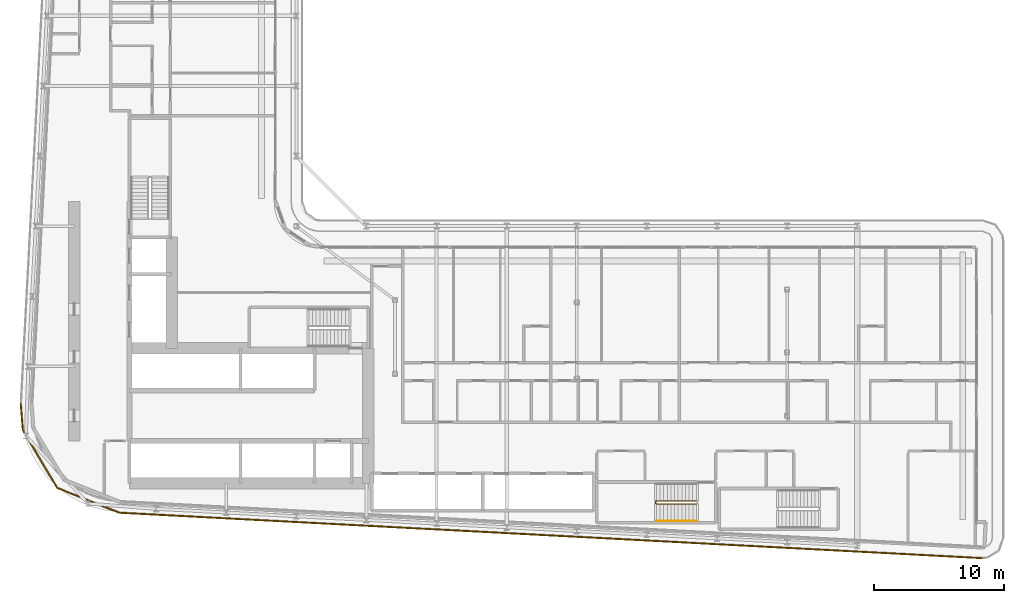
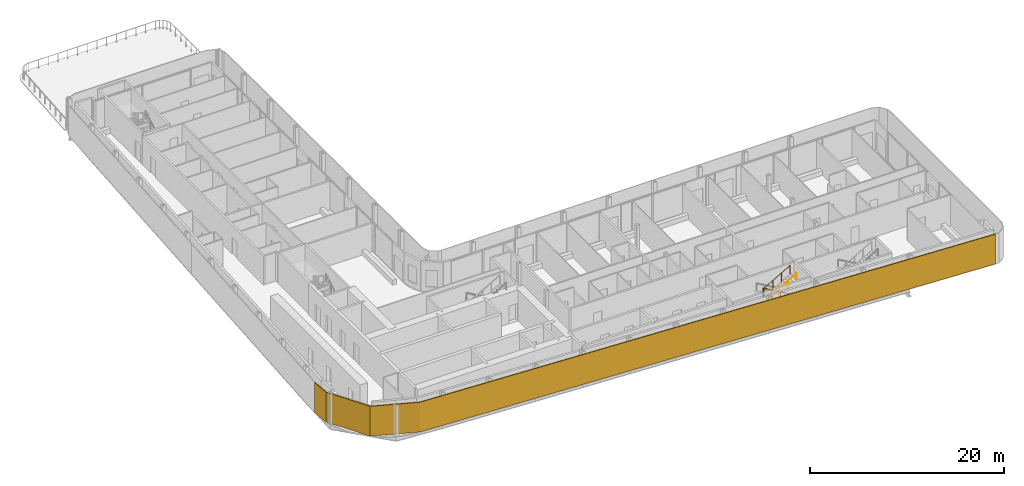
# One storey, part 23 of 28: 2 railings, 1 shading device.
"""IFC4 building model written with IfcOpenShell, lengths in metres."""

from ifc_helpers import new_model, si_unit, direction, frame, origin, origin_2d, place, context, subcontext, project, spatial, polyline, circle, outline, extrude, material, layer, layer_set, type_object, element, save


model = new_model("IFC4")

# Units and contexts
model_context = context("Model", 3, precision=1e-05, world=origin(), true_north=direction((0.0, 1.0)))
body_context = subcontext(model_context, "Body", "Model", "MODEL_VIEW")
ifc_project = project(units=[si_unit("LENGTHUNIT", "METRE"), si_unit("AREAUNIT", "SQUARE_METRE"), si_unit("VOLUMEUNIT", "CUBIC_METRE"), si_unit("PLANEANGLEUNIT", "RADIAN"), si_unit("MASSUNIT", "GRAM", prefix="KILO")], contexts=[model_context])

# Site, building, storey
site_placement = place(None, origin())
site = spatial("IfcSite", under=ifc_project, at=site_placement, CompositionType="ELEMENT")
building_placement = place(site_placement, origin())
building = spatial("IfcBuilding", under=site, at=building_placement, Name="Kheshtan School and Residences Tower", CompositionType="ELEMENT")
storey_placement = place(building_placement, frame((0.0, 0.0, 94.10009765625)))
storey = spatial("IfcBuildingStorey", under=building, at=storey_placement, Name="L21", CompositionType="ELEMENT", Elevation=94.10009765625)

# Shading device
ifc_material_1 = material(Name="Terracotta baguette, extruded ceramic", Category="masonry")
ifc_layer = layer(ifc_material_1, 0.10009765625)
ifc_layer_set = layer_set([ifc_layer], Name="Ledge screen, terracotta baguettes")
shading_device_type = type_object("IfcShadingDeviceType", Name="Ledge screen, terracotta baguettes", PredefinedType="USERDEFINED", material=ifc_layer_set)
shading_device_placement = place(storey_placement, origin())
element("IfcShadingDevice", 1, at=shading_device_placement, inside=storey, type_object=shading_device_type, Name="Screen L21 3", ObjectType="BAGUETTE", PredefinedType="USERDEFINED", context=body_context, shape_type="SweptSolid", body=[
    extrude(outline(polyline([(100.4208984375, 20.0830078125), (33.989013671875, 23.580078125), (29.2119140625, 25.486083984375), (26.583984375, 29.906982421875), (26.419921875, 31.989013671875), (26.320068359375, 31.98095703125), (26.486083984375, 29.8759765625), (29.14306640625, 25.406005859375), (33.967041015625, 23.48095703125), (100.416015625, 19.98291015625), (100.4208984375, 20.0830078125)])), origin(), (0.0, 0.0, 1.0), 3.75),
])

# Railings
ifc_material_2 = material(Name="Stainless steel balustrade", Category="steel")
railing_type_1 = type_object("IfcRailingType", Name="Stair guard 1100", PredefinedType="GUARDRAIL", material=ifc_material_2)
railing_1_placement = place(storey_placement, frame((78.409912109375, 24.449951171875, 0.162353515625)))
element("IfcRailing", 2, at=railing_1_placement, inside=storey, type_object=railing_type_1, Name="L21 ST5 stair guard 1", PredefinedType="GUARDRAIL", context=body_context, shape_type="SweptSolid", body=[
    extrude(circle(Radius=0.02392578125, at=origin_2d()), frame((0.0, 0.0, 1.076171875), z_axis=(-0.864873446163, 0.0, 0.501989962173), x_axis=(0.0, -1.0, 0.0)), (0.0, 0.0, 1.0), 3.56103515625),
    extrude(circle(Radius=0.02392578125, at=origin_2d()), frame((-3.079833984375, 0.0, 2.86376953125), z_axis=(-0.707106781187, -0.707106781187, 0.0), x_axis=(0.707106781187, -0.707106781187, 0.0)), (0.0, 0.0, 1.0), 0.07080078125),
    extrude(circle(Radius=0.02392578125, at=origin_2d()), frame((-3.1298828125, -0.050048828125, 2.86376953125), z_axis=(0.0, -1.0, 0.0), x_axis=(1.0, 0.0, 0.0)), (0.0, 0.0, 1.0), 0.14990234375),
    extrude(circle(Radius=0.02392578125, at=origin_2d()), frame((-3.1298828125, -0.199951171875, 2.86376953125), z_axis=(0.282583949758, -0.282583949758, 0.916674763849), x_axis=(0.707106781187, 0.707106781187, 0.0)), (0.0, 0.0, 1.0), 0.177001953125),
    extrude(circle(Radius=0.02392578125, at=origin_2d()), frame((-3.079833984375, -0.25, 3.02587890625), z_axis=(0.864873446163, 0.0, 0.501989962173), x_axis=(0.0, 1.0, 0.0)), (0.0, 0.0, 1.0), 3.56103515625),
    extrude(circle(Radius=0.02099609375, at=origin_2d()), origin(), (0.0, 0.0, 1.0), 1.052001953125),
    extrude(circle(Radius=0.02099609375, at=origin_2d()), frame((-1.026611328125, 0.0, 0.595947265625)), (0.0, 0.0, 1.0), 1.052001953125),
    extrude(circle(Radius=0.02099609375, at=origin_2d()), frame((-2.05322265625, 0.0, 1.191650390625)), (0.0, 0.0, 1.0), 1.052001953125),
    extrude(circle(Radius=0.02099609375, at=origin_2d()), frame((-3.079833984375, 0.0, 1.78759765625)), (0.0, 0.0, 1.0), 1.052001953125),
    extrude(circle(Radius=0.02099609375, at=origin_2d()), frame((-3.1298828125, -0.050048828125, 1.78759765625)), (0.0, 0.0, 1.0), 1.052001953125),
    extrude(circle(Radius=0.02099609375, at=origin_2d()), frame((-3.1298828125, -0.199951171875, 1.78759765625)), (0.0, 0.0, 1.0), 1.052001953125),
    extrude(circle(Radius=0.02099609375, at=origin_2d()), frame((-3.079833984375, -0.25, 1.949951171875)), (0.0, 0.0, 1.0), 1.052001953125),
    extrude(circle(Radius=0.02099609375, at=origin_2d()), frame((-2.05322265625, -0.25, 2.5458984375)), (0.0, 0.0, 1.0), 1.052001953125),
    extrude(circle(Radius=0.02099609375, at=origin_2d()), frame((-1.026611328125, -0.25, 3.1416015625)), (0.0, 0.0, 1.0), 1.052001953125),
    extrude(circle(Radius=0.02099609375, at=origin_2d()), frame((0.0, -0.25, 3.737548828125)), (0.0, 0.0, 1.0), 1.052001953125),
])
ifc_material_3 = material(Name="Stainless steel handrail", Category="steel")
railing_type_2 = type_object("IfcRailingType", Name="Stair handrail 900", PredefinedType="HANDRAIL", material=ifc_material_3)
railing_2_placement = place(storey_placement, frame((75.330078125, 22.89990234375, 2.1123046875)))
element("IfcRailing", 3, at=railing_2_placement, inside=storey, type_object=railing_type_2, Name="L21 ST5 stair handrail 2", PredefinedType="HANDRAIL", context=body_context, shape_type="SweptSolid", body=[
    extrude(circle(Radius=0.02392578125, at=origin_2d()), frame((0.0, 0.0, 0.8759765625), z_axis=(0.864873446163, 0.0, 0.501989962173), x_axis=(0.0, 1.0, 0.0)), (0.0, 0.0, 1.0), 3.56103515625),
    extrude(circle(Radius=0.02099609375, at=origin_2d()), origin(), (0.0, 0.0, 1.0), 0.851806640625),
    extrude(circle(Radius=0.02099609375, at=origin_2d()), frame((1.026611328125, 0.0, 0.595947265625)), (0.0, 0.0, 1.0), 0.851806640625),
    extrude(circle(Radius=0.02099609375, at=origin_2d()), frame((2.05322265625, 0.0, 1.191650390625)), (0.0, 0.0, 1.0), 0.851806640625),
    extrude(circle(Radius=0.02099609375, at=origin_2d()), frame((3.079833984375, 0.0, 1.78759765625)), (0.0, 0.0, 1.0), 0.851806640625),
])

save(model, "model.ifc")
